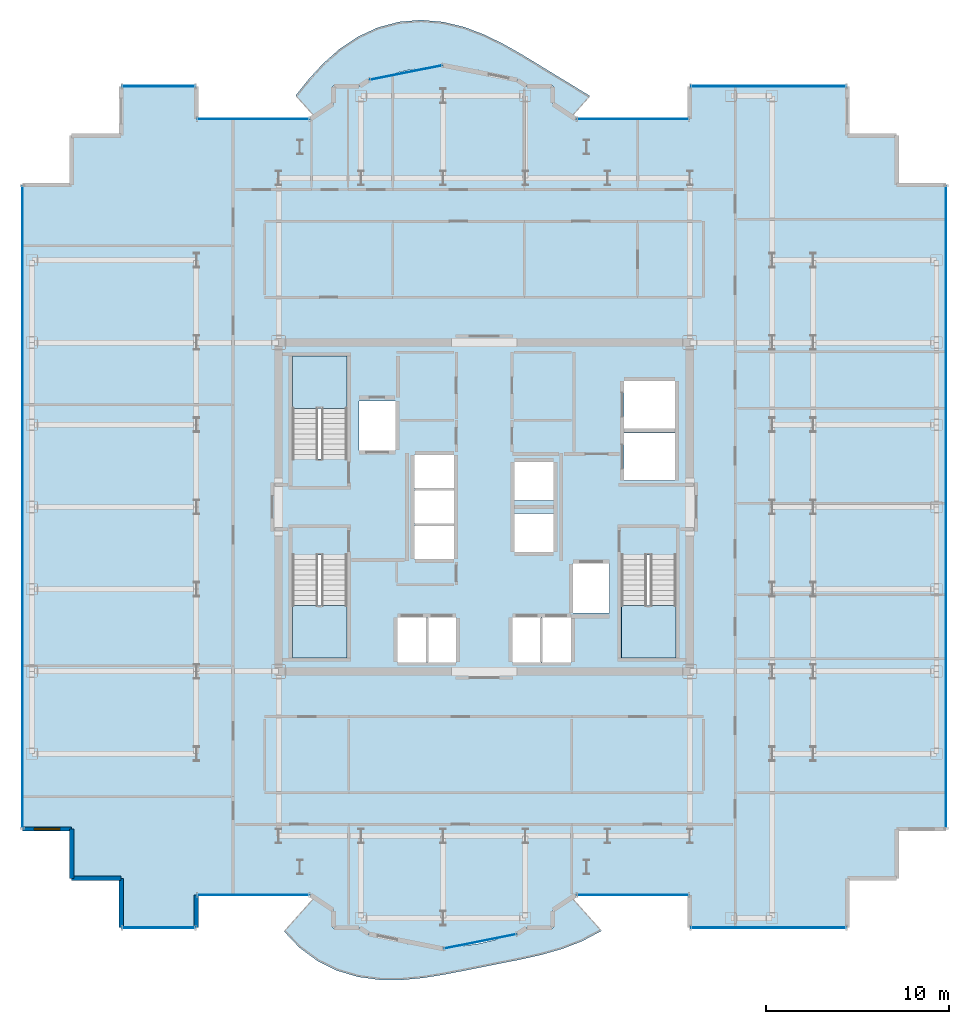
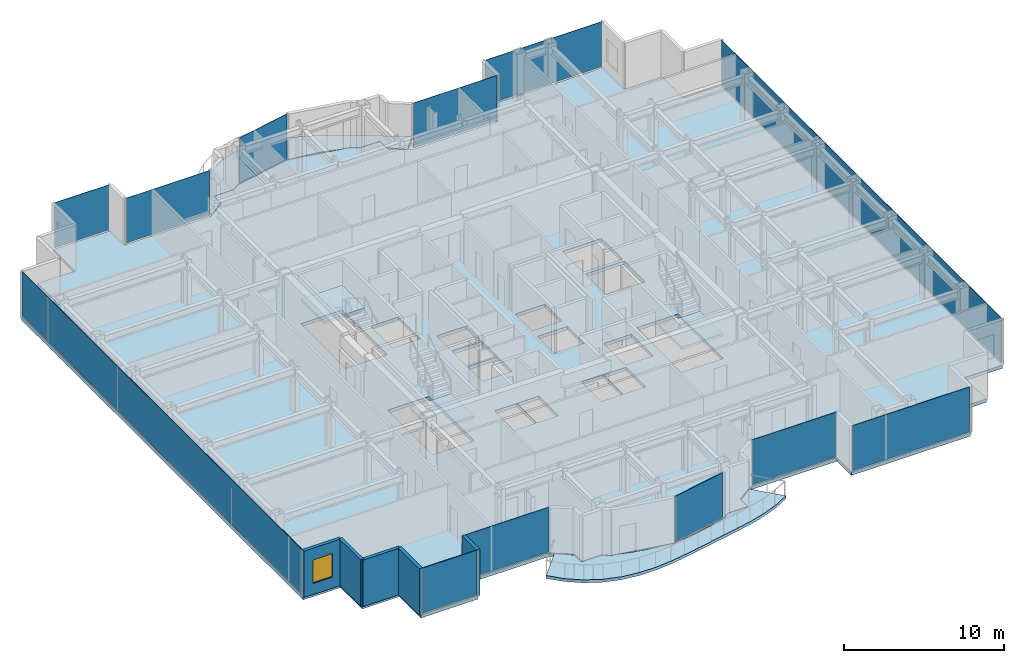
# One storey, part 13 of 21: 12 plates, 6 slabs, 5 walls, 1 window, 1 opening, 15 elements without a shape of their own.
"""IFC4 building model written with IfcOpenShell, lengths in metres."""

from ifc_helpers import new_model, si_unit, direction, frame, frame_2d, origin, origin_2d, place, context, subcontext, project, spatial, polyline, rectangle, outline, extrude, source, transform, mapped, material, layer, layer_set, type_object, element, fill, aggregate, save


model = new_model("IFC4")

# Units and contexts
model_context = context("Model", 3, precision=1e-05, world=origin(), true_north=direction((0.0, 1.0)))
body_context = subcontext(model_context, "Body", "Model", "MODEL_VIEW")
ifc_project = project(units=[si_unit("LENGTHUNIT", "METRE"), si_unit("AREAUNIT", "SQUARE_METRE"), si_unit("VOLUMEUNIT", "CUBIC_METRE"), si_unit("PLANEANGLEUNIT", "RADIAN"), si_unit("MASSUNIT", "GRAM", prefix="KILO")], contexts=[model_context])

# Site, building, storey
site_placement = place(None, origin())
site = spatial("IfcSite", under=ifc_project, at=site_placement, CompositionType="ELEMENT")
building_placement = place(site_placement, origin())
building = spatial("IfcBuilding", under=site, at=building_placement, Name="Nefas-Gora Pilgrimage Tower", CompositionType="ELEMENT")
storey_placement = place(building_placement, frame((0.0, 0.0, 248.39990234375)))
storey = spatial("IfcBuildingStorey", under=building, at=storey_placement, Name="L62", CompositionType="ELEMENT", Elevation=248.39990234375)

# Slabs
ifc_material_1 = material(Name="Concrete C40/50", Category="concrete")
ifc_layer_1 = layer(ifc_material_1, 0.22509765625)
ifc_layer_set_1 = layer_set([ifc_layer_1], Name="Concrete C40/50")
slab_type_1 = type_object("IfcSlabType", Name="SLB-BAL-P1", PredefinedType="FLOOR", material=ifc_layer_set_1)
slab_1_placement = place(storey_placement, frame((0.0, 0.0, -0.224853515625)))
element("IfcSlab", 1, at=slab_1_placement, inside=storey, type_object=slab_type_1, Name="L62 Sinusoidal Lobe Balcony Slab S (Phase 1)", PredefinedType="FLOOR", context=body_context, shape_type="SweptSolid", body=[
    extrude(outline(polyline([(4.78759765625, -21.385986328125), (4.724609375, -21.427978515625), (4.038330078125, -21.9912109375), (3.760009765625, -22.179931640625), (3.760009765625, -23.02001953125), (3.760009765625, -23.02099609375), (3.759765625, -23.02197265625), (3.759521484375, -23.02294921875), (3.75927734375, -23.023681640625), (3.7587890625, -23.024658203125), (3.75830078125, -23.025634765625), (3.7578125, -23.0263671875), (3.757080078125, -23.027099609375), (3.75634765625, -23.027587890625), (3.755615234375, -23.0283203125), (3.754638671875, -23.02880859375), (3.75390625, -23.029296875), (3.7529296875, -23.029541015625), (3.751953125, -23.02978515625), (3.7509765625, -23.030029296875), (3.75, -23.030029296875), (2.3271484375, -23.030029296875), (1.81298828125, -23.37353515625), (1.81201171875, -23.3740234375), (1.811279296875, -23.37451171875), (1.810302734375, -23.375), (1.809326171875, -23.375), (1.13037109375, -23.51025390625), (0.602783203125, -23.685302734375), (-0.334716796875, -23.904052734375), (-1.288330078125, -24.035888671875), (-1.580078125, -24.04931640625), (-2.248046875, -24.18212890625), (-2.2490234375, -24.182373046875), (-2.25, -24.182373046875), (-2.2509765625, -24.182373046875), (-2.251953125, -24.18212890625), (-2.919921875, -24.04931640625), (-3.211669921875, -24.035888671875), (-4.165283203125, -23.904052734375), (-5.102783203125, -23.685302734375), (-5.63037109375, -23.51025390625), (-6.309326171875, -23.375), (-6.310302734375, -23.375), (-6.311279296875, -23.37451171875), (-6.31201171875, -23.3740234375), (-6.31298828125, -23.37353515625), (-6.8271484375, -23.030029296875), (-8.25, -23.030029296875), (-8.2509765625, -23.030029296875), (-8.251953125, -23.02978515625), (-8.2529296875, -23.029541015625), (-8.25390625, -23.029296875), (-8.254638671875, -23.02880859375), (-8.255615234375, -23.0283203125), (-8.25634765625, -23.027587890625), (-8.257080078125, -23.027099609375), (-8.2578125, -23.0263671875), (-8.25830078125, -23.025634765625), (-8.2587890625, -23.024658203125), (-8.25927734375, -23.023681640625), (-8.259521484375, -23.02294921875), (-8.259765625, -23.02197265625), (-8.260009765625, -23.02099609375), (-8.260009765625, -23.02001953125), (-8.260009765625, -22.179931640625), (-8.538330078125, -21.9912109375), (-9.224609375, -21.427978515625), (-9.28759765625, -21.385986328125), (-10.9453125, -23.22705078125), (-10.115234375, -24.102783203125), (-9.14697265625, -24.82470703125), (-8.06640625, -25.364501953125), (-6.91064453125, -25.711181640625), (-5.72021484375, -25.87451171875), (-4.531982421875, -25.882080078125), (-3.371337890625, -25.7744140625), (-2.25, -25.595947265625), (-1.164306640625, -25.38671875), (-0.099365234375, -25.17333984375), (0.963623046875, -24.964599609375), (2.04150390625, -24.749755859375), (3.14111328125, -24.502197265625), (4.254638671875, -24.184814453125), (5.35888671875, -23.759521484375), (6.416748046875, -23.1953125), (4.78759765625, -21.385986328125)])), origin(), (0.0, 0.0, 1.0), 0.224853515625),
])
ifc_layer_2 = layer(ifc_material_1, 0.22998046875)
ifc_layer_set_2 = layer_set([ifc_layer_2], Name="Concrete C40/50")
slab_type_2 = type_object("IfcSlabType", Name="SLB-BAL-P5", PredefinedType="FLOOR", material=ifc_layer_set_2)
slab_2_placement = place(storey_placement, frame((0.0, 0.0, -0.22998046875)))
element("IfcSlab", 2, at=slab_2_placement, inside=storey, type_object=slab_type_2, Name="L62 Sinusoidal Lobe Balcony Slab N (Phase 5)", PredefinedType="FLOOR", context=body_context, shape_type="SweptSolid", body=[
    extrude(outline(polyline([(-9.28759765625, 21.385986328125), (-9.224609375, 21.427978515625), (-8.538330078125, 21.9912109375), (-8.260009765625, 22.179931640625), (-8.260009765625, 23.02001953125), (-8.260009765625, 23.02099609375), (-8.259765625, 23.02197265625), (-8.259521484375, 23.02294921875), (-8.25927734375, 23.023681640625), (-8.2587890625, 23.024658203125), (-8.25830078125, 23.025634765625), (-8.2578125, 23.0263671875), (-8.257080078125, 23.027099609375), (-8.25634765625, 23.027587890625), (-8.255615234375, 23.0283203125), (-8.254638671875, 23.02880859375), (-8.25390625, 23.029296875), (-8.2529296875, 23.029541015625), (-8.251953125, 23.02978515625), (-8.2509765625, 23.030029296875), (-8.25, 23.030029296875), (-6.8271484375, 23.030029296875), (-6.31298828125, 23.37353515625), (-6.31201171875, 23.3740234375), (-6.311279296875, 23.37451171875), (-6.310302734375, 23.375), (-6.309326171875, 23.375), (-5.63037109375, 23.51025390625), (-5.102783203125, 23.685302734375), (-4.165283203125, 23.904052734375), (-3.211669921875, 24.035888671875), (-2.919921875, 24.04931640625), (-2.251953125, 24.18212890625), (-2.2509765625, 24.182373046875), (-2.25, 24.182373046875), (-2.2490234375, 24.182373046875), (-2.248046875, 24.18212890625), (-1.580078125, 24.04931640625), (-1.288330078125, 24.035888671875), (-0.334716796875, 23.904052734375), (0.602783203125, 23.685302734375), (1.13037109375, 23.51025390625), (1.809326171875, 23.375), (1.810302734375, 23.375), (1.811279296875, 23.37451171875), (1.81201171875, 23.3740234375), (1.81298828125, 23.37353515625), (2.3271484375, 23.030029296875), (3.75, 23.030029296875), (3.7509765625, 23.030029296875), (3.751953125, 23.02978515625), (3.7529296875, 23.029541015625), (3.75390625, 23.029296875), (3.754638671875, 23.02880859375), (3.755615234375, 23.0283203125), (3.75634765625, 23.027587890625), (3.757080078125, 23.027099609375), (3.7578125, 23.0263671875), (3.75830078125, 23.025634765625), (3.7587890625, 23.024658203125), (3.75927734375, 23.023681640625), (3.759521484375, 23.02294921875), (3.759765625, 23.02197265625), (3.760009765625, 23.02099609375), (3.760009765625, 23.02001953125), (3.760009765625, 22.179931640625), (4.038330078125, 21.9912109375), (4.724609375, 21.427978515625), (4.78759765625, 21.385986328125), (5.782958984375, 22.491455078125), (4.843017578125, 23.068603515625), (3.91552734375, 23.631103515625), (2.99072265625, 24.197265625), (2.048583984375, 24.768310546875), (1.06591796875, 25.326904296875), (0.02392578125, 25.83935546875), (-1.083984375, 26.2607421875), (-2.25, 26.5439453125), (-3.45166015625, 26.6484375), (-4.6552734375, 26.548095703125), (-5.822509765625, 26.23681640625), (-6.917724609375, 25.729736328125), (-7.916015625, 25.059814453125), (-8.807861328125, 24.271240234375), (-9.599365234375, 23.412109375), (-10.3115234375, 22.523193359375), (-9.28759765625, 21.385986328125)])), origin(), (0.0, 0.0, 1.0), 0.22998046875),
])
ifc_layer_3 = layer(ifc_material_1, 0.25)
ifc_layer_set_3 = layer_set([ifc_layer_3], Name="Concrete C40/50")
slab_type_3 = type_object("IfcSlabType", Name="SLB-TWR-260", PredefinedType="FLOOR", material=ifc_layer_set_3)
slab_3_placement = place(storey_placement, frame((0.0, 0.0, -0.25)))
element("IfcSlab", 3, at=slab_3_placement, inside=storey, type_object=slab_type_3, Name="L62 Structural Floor Slab", PredefinedType="FLOOR", context=body_context, shape_type="SweptSolid", body=[
    extrude(outline(polyline([(5.01806640625, -21.219970703125), (11.25, -21.219970703125), (11.25, -23.02001953125), (19.8701171875, -23.02001953125), (19.8701171875, -20.320068359375), (22.570068359375, -20.320068359375), (22.570068359375, -17.6201171875), (25.27001953125, -17.6201171875), (25.27001953125, 17.6201171875), (22.570068359375, 17.6201171875), (22.570068359375, 20.320068359375), (19.8701171875, 20.320068359375), (19.8701171875, 23.02001953125), (11.25, 23.02001953125), (11.25, 21.219970703125), (5.01806640625, 21.219970703125), (3.75, 22.0673828125), (3.75, 23.02001953125), (2.32421875, 23.02001953125), (1.807373046875, 23.365234375), (-2.25, 24.17236328125), (-6.307373046875, 23.365234375), (-6.82421875, 23.02001953125), (-8.25, 23.02001953125), (-8.25, 22.0673828125), (-9.51806640625, 21.219970703125), (-15.75, 21.219970703125), (-15.75, 23.02001953125), (-19.8701171875, 23.02001953125), (-19.8701171875, 20.320068359375), (-22.570068359375, 20.320068359375), (-22.570068359375, 17.6201171875), (-25.27001953125, 17.6201171875), (-25.27001953125, -17.6201171875), (-22.570068359375, -17.6201171875), (-22.570068359375, -20.320068359375), (-19.8701171875, -20.320068359375), (-19.8701171875, -23.02001953125), (-15.75, -23.02001953125), (-15.75, -21.219970703125), (-9.51806640625, -21.219970703125), (-8.25, -22.0673828125), (-8.25, -23.02001953125), (-6.82421875, -23.02001953125), (-6.307373046875, -23.365234375), (-2.25, -24.17236328125), (1.807373046875, -23.365234375), (2.32421875, -23.02001953125), (3.75, -23.02001953125), (3.75, -22.0673828125), (5.01806640625, -21.219970703125)]), holes=[polyline([(-10.5, 2.639892578125), (-10.5, 8.25), (-7.5, 8.25), (-7.5, 2.639892578125), (-10.5, 2.639892578125)]), polyline([(10.5, -2.639892578125), (10.5, -8.25), (7.5, -8.25), (7.5, -2.639892578125), (10.5, -2.639892578125)]), polyline([(-7.5, -2.639892578125), (-7.5, -8.25), (-10.5, -8.25), (-10.5, -2.639892578125), (-7.5, -2.639892578125)]), polyline([(-6.85009765625, 5.800048828125), (-4.85009765625, 5.800048828125), (-4.85009765625, 3.10009765625), (-6.85009765625, 3.10009765625), (-6.85009765625, 5.800048828125)]), polyline([(4.85009765625, -3.10009765625), (6.85009765625, -3.10009765625), (6.85009765625, -5.800048828125), (4.85009765625, -5.800048828125), (4.85009765625, -3.10009765625)]), polyline([(7.64990234375, 4.050048828125), (10.449951171875, 4.050048828125), (10.449951171875, 1.449951171875), (7.64990234375, 1.449951171875), (7.64990234375, 4.050048828125)]), polyline([(7.64990234375, 6.89990234375), (10.449951171875, 6.89990234375), (10.449951171875, 4.300048828125), (7.64990234375, 4.300048828125), (7.64990234375, 6.89990234375)]), polyline([(-4.75, -6.050048828125), (-3.14990234375, -6.050048828125), (-3.14990234375, -8.5), (-4.75, -8.5), (-4.75, -6.050048828125)]), polyline([(-3.10009765625, -6.050048828125), (-1.550048828125, -6.050048828125), (-1.550048828125, -8.5), (-3.10009765625, -8.5), (-3.10009765625, -6.050048828125)]), polyline([(1.550048828125, -6.050048828125), (3.10009765625, -6.050048828125), (3.10009765625, -8.5), (1.550048828125, -8.5), (1.550048828125, -6.050048828125)]), polyline([(3.14990234375, -6.050048828125), (4.75, -6.050048828125), (4.75, -8.5), (3.14990234375, -8.5), (3.14990234375, -6.050048828125)]), polyline([(-3.800048828125, -1.050048828125), (-1.64990234375, -1.050048828125), (-1.64990234375, -2.85009765625), (-3.800048828125, -2.85009765625), (-3.800048828125, -1.050048828125)]), polyline([(-3.800048828125, 0.89990234375), (-1.64990234375, 0.89990234375), (-1.64990234375, -0.89990234375), (-3.800048828125, -0.89990234375), (-3.800048828125, 0.89990234375)]), polyline([(-3.800048828125, 2.85009765625), (-1.64990234375, 2.85009765625), (-1.64990234375, 1.050048828125), (-3.800048828125, 1.050048828125), (-3.800048828125, 2.85009765625)]), polyline([(1.64990234375, -0.35009765625), (3.800048828125, -0.35009765625), (3.800048828125, -2.449951171875), (1.64990234375, -2.449951171875), (1.64990234375, -0.35009765625)]), polyline([(1.64990234375, 2.449951171875), (3.800048828125, 2.449951171875), (3.800048828125, 0.35009765625), (1.64990234375, 0.35009765625), (1.64990234375, 2.449951171875)])]), origin(), (0.0, 0.0, 1.0), 0.25),
])

# Stair, slab
ifc_material_2 = material(Name="Concrete C45/55", Category="concrete")
stair_type = type_object("IfcStairType", Name="STR-1400-R1727", PredefinedType="HALF_TURN_STAIR", material=ifc_material_2)
stair_1_placement = place(storey_placement, origin())
stair_1 = element("IfcStair", 4, at=stair_1_placement, inside=storey, type_object=stair_type, Name="L62 Pressurised Tower Exit Stair ST-01", PredefinedType="HALF_TURN_STAIR")
ifc_layer_4 = layer(ifc_material_1, 0.199951171875)
ifc_layer_set_4 = layer_set([ifc_layer_4], Name="Concrete C40/50")
slab_type_4 = type_object("IfcSlabType", Name="STR-LAND-200", PredefinedType="LANDING", material=ifc_layer_set_4)
slab_4_placement = place(storey_placement, frame((0.0, 0.0, 1.7001953125)))
slab_4 = element("IfcSlab", 5, at=slab_4_placement, type_object=slab_type_4, Name="ST-01 landing 1", PredefinedType="LANDING", context=body_context, shape_type="SweptSolid", body=[
    extrude(outline(polyline([(-7.5, 5.39990234375), (-7.5, 8.25), (-10.5, 8.25), (-10.5, 5.39990234375), (-7.5, 5.39990234375)])), origin(), (0.0, 0.0, 1.0), 0.199951171875),
])
aggregate(stair_1, [slab_4])

stair_2_placement = place(storey_placement, origin())
stair_2 = element("IfcStair", 6, at=stair_2_placement, inside=storey, type_object=stair_type, Name="L62 Pressurised Tower Exit Stair ST-02", PredefinedType="HALF_TURN_STAIR")
slab_5_placement = place(storey_placement, frame((0.0, 0.0, 1.7001953125)))
slab_5 = element("IfcSlab", 7, at=slab_5_placement, type_object=slab_type_4, Name="ST-02 landing 1", PredefinedType="LANDING", context=body_context, shape_type="SweptSolid", body=[
    extrude(outline(polyline([(7.5, -5.39990234375), (7.5, -8.25), (10.5, -8.25), (10.5, -5.39990234375), (7.5, -5.39990234375)])), origin(), (0.0, 0.0, 1.0), 0.199951171875),
])
aggregate(stair_2, [slab_5])

stair_3_placement = place(storey_placement, origin())
stair_3 = element("IfcStair", 8, at=stair_3_placement, inside=storey, type_object=stair_type, Name="L62 Pressurised Tower Exit Stair ST-03", PredefinedType="HALF_TURN_STAIR")
slab_6_placement = place(storey_placement, frame((0.0, 0.0, 1.7001953125)))
slab_6 = element("IfcSlab", 9, at=slab_6_placement, type_object=slab_type_4, Name="ST-03 landing 1", PredefinedType="LANDING", context=body_context, shape_type="SweptSolid", body=[
    extrude(outline(polyline([(-10.5, -5.39990234375), (-10.5, -8.25), (-7.5, -8.25), (-7.5, -5.39990234375), (-10.5, -5.39990234375)])), origin(), (0.0, 0.0, 1.0), 0.199951171875),
])
aggregate(stair_3, [slab_6])

# Curtain wall, plate
ifc_material_3 = material(Name="Dark ceramic-fritted solar-control aluminium-glass curtain wall", Category="aluminium")
ifc_layer_5 = layer(ifc_material_3, 0.219970703125)
ifc_layer_set_5 = layer_set([ifc_layer_5], Name="Dark ceramic-fritted solar-control aluminium-glass curtain wall")
curtain_wall_type_1 = type_object("IfcCurtainWallType", Name="CW-SYS-5", PredefinedType="NOTDEFINED", material=ifc_layer_set_5)
curtain_wall_1_placement = place(storey_placement, origin())
curtain_wall_1 = element("IfcCurtainWall", 10, at=curtain_wall_1_placement, inside=storey, type_object=curtain_wall_type_1, Name="L62 Unitised Curtain Wall CW5", PredefinedType="NOTDEFINED")
ifc_material_4 = material(Name="Dark ceramic-printed low-e insulated glass", Category="glass")
ifc_layer_6 = layer(ifc_material_4, 0.028076171875)
ifc_layer_set_6 = layer_set([ifc_layer_6], Name="Dark ceramic-printed low-e insulated glass")
plate_type_1 = type_object("IfcPlateType", Name="CWP-PNL-5", PredefinedType="CURTAIN_PANEL", material=ifc_layer_set_6)
shared_shape_1 = source(origin(), body_context, "Body", "SweptSolid", [
    extrude(rectangle(XDim=6.052001953125, YDim=0.028076171875, at=origin_2d()), origin(), (0.0, 0.0, 1.0), 3.43994140625),
])
plate_1_placement = place(storey_placement, frame((8.134033203125, -21.219970703125, 0.10009765625), z_axis=(0.0, 0.0, 1.0), x_axis=(1.0, 0.0, 0.0)))
plate_1 = element("IfcPlate", 11, at=plate_1_placement, type_object=plate_type_1, Name="CW5 Ceramic-Fritted Glazing Panel 1", PredefinedType="CURTAIN_PANEL", context=body_context, shape_type="MappedRepresentation", body=[
    mapped(shared_shape_1, transform((0.0, 0.0, 0.0), x_axis=(1.0, 0.0, 0.0), y_axis=(0.0, 1.0, 0.0), z_axis=(0.0, 0.0, 1.0), scale=1.0)),
])
aggregate(curtain_wall_1, [plate_1])

curtain_wall_2_placement = place(storey_placement, origin())
curtain_wall_2 = element("IfcCurtainWall", 12, at=curtain_wall_2_placement, inside=storey, type_object=curtain_wall_type_1, Name="L62 Unitised Curtain Wall CW5", PredefinedType="NOTDEFINED")
plate_2_placement = place(storey_placement, frame((8.134033203125, 21.219970703125, 0.10009765625), z_axis=(0.0, 0.0, 1.0), x_axis=(-1.0, 0.0, 0.0)))
plate_2 = element("IfcPlate", 13, at=plate_2_placement, type_object=plate_type_1, Name="CW5 Ceramic-Fritted Glazing Panel 1", PredefinedType="CURTAIN_PANEL", context=body_context, shape_type="MappedRepresentation", body=[
    mapped(shared_shape_1, transform((0.0, 0.0, 0.0), x_axis=(1.0, 0.0, 0.0), y_axis=(0.0, 1.0, 0.0), z_axis=(0.0, 0.0, 1.0), scale=1.0)),
])
aggregate(curtain_wall_2, [plate_2])

curtain_wall_3_placement = place(storey_placement, origin())
curtain_wall_3 = element("IfcCurtainWall", 14, at=curtain_wall_3_placement, inside=storey, type_object=curtain_wall_type_1, Name="L62 Unitised Curtain Wall CW5", PredefinedType="NOTDEFINED")
plate_3_placement = place(storey_placement, frame((-12.634033203125, 21.219970703125, 0.10009765625), z_axis=(0.0, 0.0, 1.0), x_axis=(-1.0, 0.0, 0.0)))
plate_3 = element("IfcPlate", 15, at=plate_3_placement, type_object=plate_type_1, Name="CW5 Ceramic-Fritted Glazing Panel 1", PredefinedType="CURTAIN_PANEL", context=body_context, shape_type="MappedRepresentation", body=[
    mapped(shared_shape_1, transform((0.0, 0.0, 0.0), x_axis=(1.0, 0.0, 0.0), y_axis=(0.0, 1.0, 0.0), z_axis=(0.0, 0.0, 1.0), scale=1.0)),
])
aggregate(curtain_wall_3, [plate_3])

curtain_wall_4_placement = place(storey_placement, origin())
curtain_wall_4 = element("IfcCurtainWall", 16, at=curtain_wall_4_placement, inside=storey, type_object=curtain_wall_type_1, Name="L62 Unitised Curtain Wall CW5", PredefinedType="NOTDEFINED")
plate_4_placement = place(storey_placement, frame((-12.634033203125, -21.219970703125, 0.10009765625), z_axis=(0.0, 0.0, 1.0), x_axis=(1.0, 0.0, 0.0)))
plate_4 = element("IfcPlate", 17, at=plate_4_placement, type_object=plate_type_1, Name="CW5 Ceramic-Fritted Glazing Panel 1", PredefinedType="CURTAIN_PANEL", context=body_context, shape_type="MappedRepresentation", body=[
    mapped(shared_shape_1, transform((0.0, 0.0, 0.0), x_axis=(1.0, 0.0, 0.0), y_axis=(0.0, 1.0, 0.0), z_axis=(0.0, 0.0, 1.0), scale=1.0)),
])
aggregate(curtain_wall_4, [plate_4])

curtain_wall_5_placement = place(storey_placement, origin())
curtain_wall_5 = element("IfcCurtainWall", 18, at=curtain_wall_5_placement, inside=storey, type_object=curtain_wall_type_1, Name="L62 Unitised Curtain Wall CW5", PredefinedType="NOTDEFINED")
shared_shape_2 = source(origin(), body_context, "Body", "SweptSolid", [
    extrude(rectangle(XDim=3.956787109375, YDim=0.028076171875, at=origin_2d()), origin(), (0.0, 0.0, 1.0), 3.43994140625),
])
plate_5_placement = place(storey_placement, frame((-4.278564453125, 23.768798828125, 0.10009765625), z_axis=(0.0, 0.0, 1.0), x_axis=(-0.980782896852, -0.195102304554, 0.0)))
plate_5 = element("IfcPlate", 19, at=plate_5_placement, type_object=plate_type_1, Name="CW5 Ceramic-Fritted Glazing Panel 1", PredefinedType="CURTAIN_PANEL", context=body_context, shape_type="MappedRepresentation", body=[
    mapped(shared_shape_2, transform((0.0, 0.0, 0.0), x_axis=(1.0, 0.0, 0.0), y_axis=(0.0, 1.0, 0.0), z_axis=(0.0, 0.0, 1.0), scale=1.0)),
])
aggregate(curtain_wall_5, [plate_5])

curtain_wall_6_placement = place(storey_placement, origin())
curtain_wall_6 = element("IfcCurtainWall", 20, at=curtain_wall_6_placement, inside=storey, type_object=curtain_wall_type_1, Name="L62 Unitised Curtain Wall CW5", PredefinedType="NOTDEFINED")
plate_6_placement = place(storey_placement, frame((-0.221435546875, -23.768798828125, 0.10009765625), z_axis=(0.0, 0.0, 1.0), x_axis=(0.980782896852, 0.195102304554, 0.0)))
plate_6 = element("IfcPlate", 21, at=plate_6_placement, type_object=plate_type_1, Name="CW5 Ceramic-Fritted Glazing Panel 1", PredefinedType="CURTAIN_PANEL", context=body_context, shape_type="MappedRepresentation", body=[
    mapped(shared_shape_2, transform((0.0, 0.0, 0.0), x_axis=(1.0, 0.0, 0.0), y_axis=(0.0, 1.0, 0.0), z_axis=(0.0, 0.0, 1.0), scale=1.0)),
])
aggregate(curtain_wall_6, [plate_6])

ifc_layer_7 = layer(ifc_material_3, 0.219970703125)
ifc_layer_set_7 = layer_set([ifc_layer_7], Name="Dark ceramic-fritted solar-control aluminium-glass curtain wall")
curtain_wall_type_2 = type_object("IfcCurtainWallType", Name="CW-SYS-3", PredefinedType="NOTDEFINED", material=ifc_layer_set_7)
curtain_wall_7_placement = place(storey_placement, origin())
curtain_wall_7 = element("IfcCurtainWall", 22, at=curtain_wall_7_placement, inside=storey, type_object=curtain_wall_type_2, Name="L62 Unitised Curtain Wall CW3", PredefinedType="NOTDEFINED")
ifc_layer_8 = layer(ifc_material_4, 0.033935546875)
ifc_layer_set_8 = layer_set([ifc_layer_8], Name="Dark ceramic-printed low-e insulated glass")
plate_type_2 = type_object("IfcPlateType", Name="CWP-PNL-3", PredefinedType="CURTAIN_PANEL", material=ifc_layer_set_8)
shared_shape_3 = source(origin(), body_context, "Body", "SweptSolid", [
    extrude(rectangle(XDim=8.43994140625, YDim=0.033935546875, at=origin_2d()), origin(), (0.0, 0.0, 1.0), 3.43994140625),
])
plate_7_placement = place(storey_placement, frame((15.56005859375, -23.02001953125, 0.10009765625), z_axis=(0.0, 0.0, 1.0), x_axis=(1.0, 0.0, 0.0)))
plate_7 = element("IfcPlate", 23, at=plate_7_placement, type_object=plate_type_2, Name="CW3 Ceramic-Fritted Glazing Panel 1", PredefinedType="CURTAIN_PANEL", context=body_context, shape_type="MappedRepresentation", body=[
    mapped(shared_shape_3, transform((0.0, 0.0, 0.0), x_axis=(1.0, 0.0, 0.0), y_axis=(0.0, 1.0, 0.0), z_axis=(0.0, 0.0, 1.0), scale=1.0)),
])
aggregate(curtain_wall_7, [plate_7])

curtain_wall_8_placement = place(storey_placement, origin())
curtain_wall_8 = element("IfcCurtainWall", 24, at=curtain_wall_8_placement, inside=storey, type_object=curtain_wall_type_2, Name="L62 Unitised Curtain Wall CW3", PredefinedType="NOTDEFINED")
plate_8_placement = place(storey_placement, frame((15.56005859375, 23.02001953125, 0.10009765625), z_axis=(0.0, 0.0, 1.0), x_axis=(-1.0, 0.0, 0.0)))
plate_8 = element("IfcPlate", 25, at=plate_8_placement, type_object=plate_type_2, Name="CW3 Ceramic-Fritted Glazing Panel 1", PredefinedType="CURTAIN_PANEL", context=body_context, shape_type="MappedRepresentation", body=[
    mapped(shared_shape_3, transform((0.0, 0.0, 0.0), x_axis=(1.0, 0.0, 0.0), y_axis=(0.0, 1.0, 0.0), z_axis=(0.0, 0.0, 1.0), scale=1.0)),
])
aggregate(curtain_wall_8, [plate_8])

curtain_wall_9_placement = place(storey_placement, origin())
curtain_wall_9 = element("IfcCurtainWall", 26, at=curtain_wall_9_placement, inside=storey, type_object=curtain_wall_type_2, Name="L62 Unitised Curtain Wall CW3", PredefinedType="NOTDEFINED")
shared_shape_4 = source(origin(), body_context, "Body", "SweptSolid", [
    extrude(rectangle(XDim=35.06005859375, YDim=0.033935546875, at=origin_2d()), origin(), (0.0, 0.0, 1.0), 3.43994140625),
])
plate_9_placement = place(storey_placement, frame((25.27001953125, 0.0, 0.10009765625), z_axis=(0.0, 0.0, 1.0), x_axis=(0.0, 1.0, 0.0)))
plate_9 = element("IfcPlate", 27, at=plate_9_placement, type_object=plate_type_2, Name="CW3 Ceramic-Fritted Glazing Panel 1", PredefinedType="CURTAIN_PANEL", context=body_context, shape_type="MappedRepresentation", body=[
    mapped(shared_shape_4, transform((0.0, 0.0, 0.0), x_axis=(1.0, 0.0, 0.0), y_axis=(0.0, 1.0, 0.0), z_axis=(0.0, 0.0, 1.0), scale=1.0)),
])
aggregate(curtain_wall_9, [plate_9])

curtain_wall_10_placement = place(storey_placement, origin())
curtain_wall_10 = element("IfcCurtainWall", 28, at=curtain_wall_10_placement, inside=storey, type_object=curtain_wall_type_2, Name="L62 Unitised Curtain Wall CW3", PredefinedType="NOTDEFINED")
plate_10_placement = place(storey_placement, frame((-25.27001953125, 0.0, 0.10009765625), z_axis=(0.0, 0.0, 1.0), x_axis=(0.0, -1.0, 0.0)))
plate_10 = element("IfcPlate", 29, at=plate_10_placement, type_object=plate_type_2, Name="CW3 Ceramic-Fritted Glazing Panel 1", PredefinedType="CURTAIN_PANEL", context=body_context, shape_type="MappedRepresentation", body=[
    mapped(shared_shape_4, transform((0.0, 0.0, 0.0), x_axis=(1.0, 0.0, 0.0), y_axis=(0.0, 1.0, 0.0), z_axis=(0.0, 0.0, 1.0), scale=1.0)),
])
aggregate(curtain_wall_10, [plate_10])

curtain_wall_11_placement = place(storey_placement, origin())
curtain_wall_11 = element("IfcCurtainWall", 30, at=curtain_wall_11_placement, inside=storey, type_object=curtain_wall_type_2, Name="L62 Unitised Curtain Wall CW3", PredefinedType="NOTDEFINED")
shared_shape_5 = source(origin(), body_context, "Body", "SweptSolid", [
    extrude(rectangle(XDim=3.93994140625, YDim=0.033935546875, at=origin_2d()), origin(), (0.0, 0.0, 1.0), 3.43994140625),
])
plate_11_placement = place(storey_placement, frame((-17.81005859375, 23.02001953125, 0.10009765625), z_axis=(0.0, 0.0, 1.0), x_axis=(-1.0, 0.0, 0.0)))
plate_11 = element("IfcPlate", 31, at=plate_11_placement, type_object=plate_type_2, Name="CW3 Ceramic-Fritted Glazing Panel 1", PredefinedType="CURTAIN_PANEL", context=body_context, shape_type="MappedRepresentation", body=[
    mapped(shared_shape_5, transform((0.0, 0.0, 0.0), x_axis=(1.0, 0.0, 0.0), y_axis=(0.0, 1.0, 0.0), z_axis=(0.0, 0.0, 1.0), scale=1.0)),
])
aggregate(curtain_wall_11, [plate_11])

curtain_wall_12_placement = place(storey_placement, origin())
curtain_wall_12 = element("IfcCurtainWall", 32, at=curtain_wall_12_placement, inside=storey, type_object=curtain_wall_type_2, Name="L62 Unitised Curtain Wall CW3", PredefinedType="NOTDEFINED")
plate_12_placement = place(storey_placement, frame((-17.81005859375, -23.02001953125, 0.10009765625), z_axis=(0.0, 0.0, 1.0), x_axis=(1.0, 0.0, 0.0)))
plate_12 = element("IfcPlate", 33, at=plate_12_placement, type_object=plate_type_2, Name="CW3 Ceramic-Fritted Glazing Panel 1", PredefinedType="CURTAIN_PANEL", context=body_context, shape_type="MappedRepresentation", body=[
    mapped(shared_shape_5, transform((0.0, 0.0, 0.0), x_axis=(1.0, 0.0, 0.0), y_axis=(0.0, 1.0, 0.0), z_axis=(0.0, 0.0, 1.0), scale=1.0)),
])
aggregate(curtain_wall_12, [plate_12])

# Wall
ifc_material_5 = material(Name="Precast concrete C40/50", Category="concrete")
ifc_layer_9 = layer(ifc_material_5, 0.260009765625)
ifc_layer_set_9 = layer_set([ifc_layer_9], Name="Precast concrete C40/50")
wall_type_1 = type_object("IfcWallType", Name="EW-PORTAL-260", PredefinedType="SOLIDWALL", material=ifc_layer_set_9)
shared_shape_6 = source(origin(), body_context, "Body", "SweptSolid", [
    extrude(rectangle(XDim=1.800048828125, YDim=0.260009765625, at=frame_2d((0.89990234375, 0.0))), origin(), (0.0, 0.0, 1.0), 3.550048828125),
])
wall_1_placement = place(storey_placement, frame((-15.75, -23.02001953125, 0.0), z_axis=(0.0, 0.0, 1.0), x_axis=(0.0, 1.0, 0.0)))
element("IfcWall", 34, at=wall_1_placement, inside=storey, type_object=wall_type_1, Name="L62 Lobe Shoulder Precast Spandrel Pier 29", PredefinedType="SOLIDWALL", context=body_context, shape_type="MappedRepresentation", body=[
    mapped(shared_shape_6, transform((0.0, 0.0, 0.0), x_axis=(1.0, 0.0, 0.0), y_axis=(0.0, 1.0, 0.0), z_axis=(0.0, 0.0, 1.0), scale=1.0)),
])

# Wall, opening, window
ifc_material_6 = material(Name="Precast concrete C45/55", Category="concrete")
ifc_layer_10 = layer(ifc_material_6, 0.239990234375)
ifc_layer_set_10 = layer_set([ifc_layer_10], Name="Precast concrete C45/55")
wall_type_2 = type_object("IfcWallType", Name="EW-SERR-240", PredefinedType="SHEAR", material=ifc_layer_set_10)
shared_shape_7 = source(origin(), body_context, "Body", "SweptSolid", [
    extrude(rectangle(XDim=2.699951171875, YDim=0.239990234375, at=frame_2d((1.35009765625, 0.0))), origin(), (0.0, 0.0, 1.0), 3.550048828125),
])
wall_2_placement = place(storey_placement, frame((-25.27001953125, -17.6201171875, 0.0), z_axis=(0.0, 0.0, 1.0), x_axis=(1.0, 0.0, 0.0)))
wall_2 = element("IfcWall", 35, at=wall_2_placement, inside=storey, type_object=wall_type_2, Name="L62 Serrated Corner Shear Pier Wall 25", PredefinedType="SHEAR", context=body_context, shape_type="MappedRepresentation", body=[
    mapped(shared_shape_7, transform((0.0, 0.0, 0.0), x_axis=(1.0, 0.0, 0.0), y_axis=(0.0, 1.0, 0.0), z_axis=(0.0, 0.0, 1.0), scale=1.0)),
])
opening_placement = place(wall_2_placement, frame((0.64990234375, 0.0, 0.85009765625)))
opening = element("IfcOpeningElement", 36, at=opening_placement, cuts=wall_2, Name="Opening W-V2", PredefinedType="OPENING", context=body_context, shape_type="SweptSolid", body=[
    extrude(rectangle(XDim=1.39990234375, YDim=1.800048828125, at=frame_2d((0.699951171875, 0.89990234375))), frame((0.0, 0.1298828125, 0.0), z_axis=(0.0, -1.0, 0.0), x_axis=(1.0, 0.0, 0.0)), (0.0, 0.0, 1.0), 0.260009765625),
])
ifc_material_7 = material(Name="Dark ceramic-fritted operable aluminium-glass window", Category="aluminium")
window_type = type_object("IfcWindowType", Name="WIN-VENT-1400x1800", PartitioningType="SINGLE_PANEL", PredefinedType="WINDOW", material=ifc_material_7)
shared_shape_8 = source(origin(), body_context, "Body", "SweptSolid", [
    extrude(rectangle(XDim=1.39990234375, YDim=1.800048828125, at=frame_2d((0.699951171875, 0.89990234375))), frame((0.0, 0.030029296875, 0.0), z_axis=(0.0, -1.0, 0.0), x_axis=(1.0, 0.0, 0.0)), (0.0, 0.0, 1.0), 0.06005859375),
])
window_placement = place(opening_placement, origin())
window = element("IfcWindow", 37, at=window_placement, inside=storey, type_object=window_type, Name="L62 Operable Parallel-Outswing Window 25", OverallHeight=1.800048828125, OverallWidth=1.39990234375, PartitioningType="SINGLE_PANEL", PredefinedType="WINDOW", context=body_context, shape_type="MappedRepresentation", body=[
    mapped(shared_shape_8, transform((0.0, 0.0, 0.0), x_axis=(1.0, 0.0, 0.0), y_axis=(0.0, 1.0, 0.0), z_axis=(0.0, 0.0, 1.0), scale=1.0)),
])
fill(opening, window)

# Walls
for number, where, z_axis, x_axis, name in (
    (38, (-22.570068359375, -17.6201171875, 0.0), (0.0, 0.0, 1.0), (0.0, -1.0, 0.0), "L62 Serrated Corner Shear Pier Wall 26"),
    (39, (-22.570068359375, -20.320068359375, 0.0), (0.0, 0.0, 1.0), (1.0, 0.0, 0.0), "L62 Serrated Corner Shear Pier Wall 27"),
    (40, (-19.8701171875, -20.320068359375, 0.0), (0.0, 0.0, 1.0), (0.0, -1.0, 0.0), "L62 Serrated Corner Shear Pier Wall 28"),
):
    element("IfcWall", number, at=place(storey_placement, frame(where, z_axis=z_axis, x_axis=x_axis)), inside=storey, type_object=wall_type_2, Name=name, PredefinedType="SHEAR", context=body_context, shape_type="MappedRepresentation", body=[
        mapped(shared_shape_7, transform((0.0, 0.0, 0.0), x_axis=(1.0, 0.0, 0.0), y_axis=(0.0, 1.0, 0.0), z_axis=(0.0, 0.0, 1.0), scale=1.0)),
    ])

save(model, "model.ifc")
